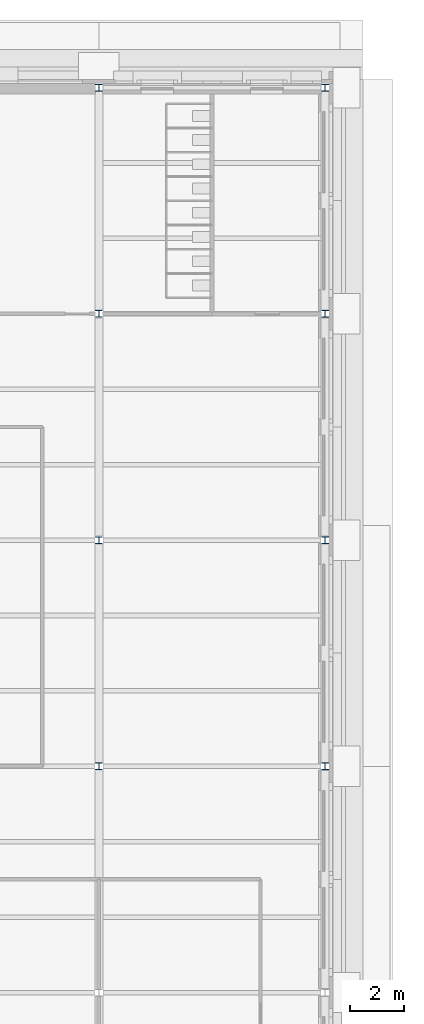
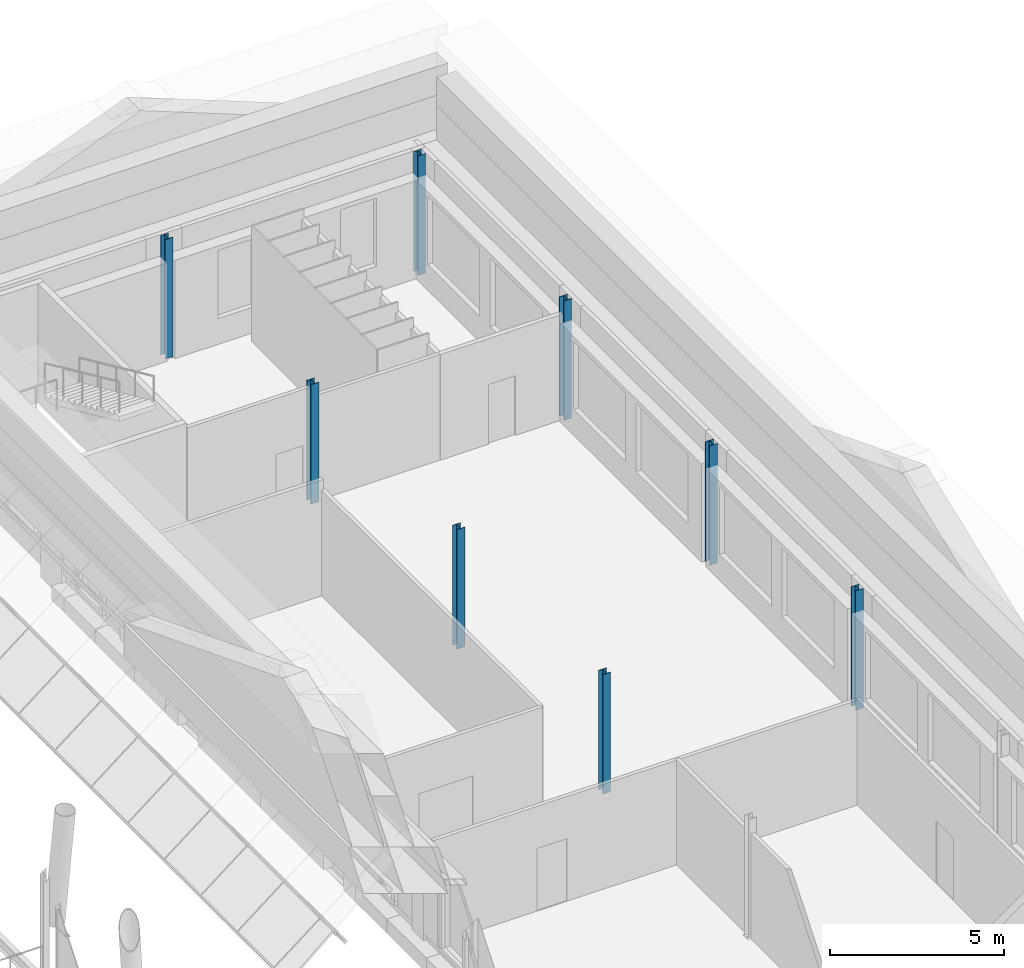
# One storey, part 12 of 76: 8 columns.
"""IFC4 building model written with IfcOpenShell, lengths in metres."""

from ifc_helpers import new_model, si_unit, direction, frame, origin, origin_2d, place, context, subcontext, project, spatial, i_section, extrude, material, material_profile, profile_set, type_object, element, save


model = new_model("IFC4")

# Units and contexts
model_context = context("Model", 3, precision=1e-05, world=origin(), true_north=direction((0.0, 1.0)))
body_context = subcontext(model_context, "Body", "Model", "MODEL_VIEW")
ifc_project = project(units=[si_unit("LENGTHUNIT", "METRE"), si_unit("AREAUNIT", "SQUARE_METRE"), si_unit("VOLUMEUNIT", "CUBIC_METRE"), si_unit("PLANEANGLEUNIT", "RADIAN"), si_unit("MASSUNIT", "GRAM", prefix="KILO")], contexts=[model_context])

# Site, building, storey
site_placement = place(None, origin())
site = spatial("IfcSite", under=ifc_project, at=site_placement, CompositionType="ELEMENT")
building_placement = place(site_placement, origin())
building = spatial("IfcBuilding", under=site, at=building_placement, Name="Sava Quay Ferry Terminal", CompositionType="ELEMENT")
storey_placement = place(building_placement, frame((0.0, 0.0, 10.800048828125)))
storey = spatial("IfcBuildingStorey", under=building, at=storey_placement, Name="L02", CompositionType="ELEMENT", Elevation=10.800048828125)

# Columns
ifc_material = material(Name="Steel S355", Category="steel")
ifc_material_profile = material_profile(ifc_material, i_section(OverallWidth=0.260009765625, OverallDepth=0.260009765625, WebThickness=0.010009765625, FlangeThickness=0.017578125, at=origin_2d()), Name="HE 260 B")
ifc_profile_set = profile_set([ifc_material_profile], Name="Steel S355")
column_type = type_object("IfcColumnType", Name="Column HE 260 B", PredefinedType="COLUMN", material=ifc_profile_set)
for number, where, z_axis, x_axis, name in (
    (1, (100.800048828125, 84.0, 0.0), (0.0, 0.0, 1.0), (1.0, 0.0, 0.0), "Column L02 100.8/84"),
    (2, (100.800048828125, 92.39990234375, 0.0), (0.0, 0.0, 1.0), (1.0, 0.0, 0.0), "Column L02 100.8/92.4"),
    (3, (100.800048828125, 100.800048828125, 0.0), (0.0, 0.0, 1.0), (1.0, 0.0, 0.0), "Column L02 100.8/100.8"),
    (4, (100.800048828125, 109.199951171875, 0.0), (0.0, 0.0, 1.0), (1.0, 0.0, 0.0), "Column L02 100.8/109.2"),
    (5, (109.199951171875, 84.0, 0.0), (0.0, 0.0, 1.0), (1.0, 0.0, 0.0), "Column L02 109.2/84"),
    (6, (109.199951171875, 92.39990234375, 0.0), (0.0, 0.0, 1.0), (1.0, 0.0, 0.0), "Column L02 109.2/92.4"),
    (7, (109.199951171875, 100.800048828125, 0.0), (0.0, 0.0, 1.0), (1.0, 0.0, 0.0), "Column L02 109.2/100.8"),
    (8, (109.199951171875, 109.199951171875, 0.0), (0.0, 0.0, 1.0), (1.0, 0.0, 0.0), "Column L02 109.2/109.2"),
):
    element("IfcColumn", number, at=place(storey_placement, frame(where, z_axis=z_axis, x_axis=x_axis)), inside=storey, type_object=column_type, Name=name, PredefinedType="COLUMN", context=body_context, shape_type="SweptSolid", body=[
        extrude(i_section(OverallWidth=0.260009765625, OverallDepth=0.260009765625, WebThickness=0.010009765625, FlangeThickness=0.017578125, at=origin_2d()), origin(), (0.0, 0.0, 1.0), 4.199951171875),
    ])

save(model, "model.ifc")
